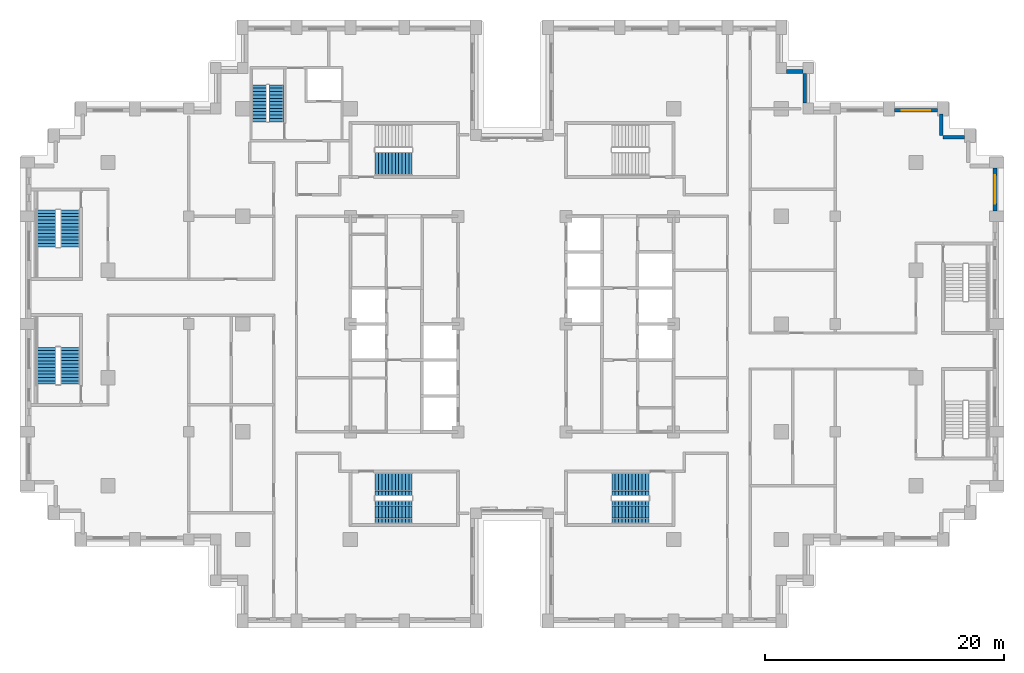
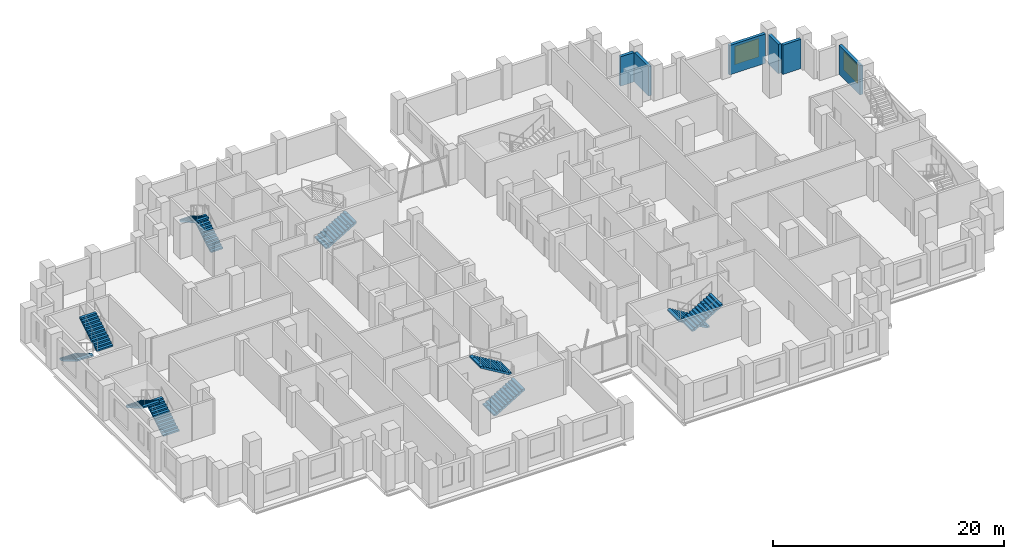
# One storey, part 13 of 16: 11 stair flights, 6 walls, 2 windows, 2 openings, 6 elements without a shape of their own.
"""IFC4 building model written with IfcOpenShell, lengths in metres."""

import ifcopenshell
import ifcopenshell.guid

model = None  # the IFC model being written
_history = None  # IfcOwnerHistory: only IFC2X3 demands one
_inside = {}  # id of a spatial element -> (the spatial element, [elements in it])
_under = {}  # id of a project, library or spatial element -> (it, [spatial elements below it])
_declared = {}  # id of a project -> (the project, [libraries it declares])
_typed = {}  # id of a type object -> (the type object, [elements of that type])
_made_of = {}  # id of a material, layer set ... -> (it, [elements and type objects made of it])


def new_model(schema):
    """Start an empty IFC model of exactly this schema.

    Asked for "IFC4X3", IfcOpenShell would pick the latest addendum, in which some entities
    have other attributes; the version numbers below select the first issue.
    IFC2X3 requires an IfcOwnerHistory on every rooted entity: one is made here for all.
    """
    global model, _history
    if schema == "IFC4X3":
        model = ifcopenshell.file(schema_version=(4, 3, 0, 0))
    else:
        model = ifcopenshell.file(schema=schema)
    _inside.clear()
    _under.clear()
    _declared.clear()
    _typed.clear()
    _made_of.clear()
    _history = None
    if model.schema == "IFC2X3":
        org = make("IfcOrganization", Name="unknown")
        user = make(
            "IfcPersonAndOrganization",
            ThePerson=make("IfcPerson", FamilyName="unknown"),
            TheOrganization=org,
        )
        app = make(
            "IfcApplication",
            ApplicationDeveloper=org,
            Version="unknown",
            ApplicationFullName="unknown",
            ApplicationIdentifier="unknown",
        )
        _history = make(
            "IfcOwnerHistory",
            OwningUser=user,
            OwningApplication=app,
            ChangeAction="ADDED",
            CreationDate=0,
        )
    return model


def make(cls, **values):
    """One entity of the class cls with the attributes given. An attribute that is None is left unset."""
    return model.create_entity(
        cls, **{name: value for name, value in values.items() if value is not None}
    )


def rooted(cls, **values):
    """An entity with a GlobalId (a new one), such as an element, a storey or a relation."""
    return make(cls, GlobalId=ifcopenshell.guid.new(), OwnerHistory=_history, **values)


def si_unit(unit_type, name, prefix=None):
    """IfcSIUnit, for example si_unit("LENGTHUNIT", "METRE", prefix="MILLI")."""
    return make("IfcSIUnit", UnitType=unit_type, Prefix=prefix, Name=name)


def assignment(units):
    """IfcUnitAssignment: the units of a project."""
    return None if units is None else make("IfcUnitAssignment", Units=units)


def point(xyz):
    """IfcCartesianPoint."""
    return None if xyz is None else make("IfcCartesianPoint", Coordinates=xyz)


def direction(xyz):
    """IfcDirection."""
    return None if xyz is None else make("IfcDirection", DirectionRatios=xyz)


def frame(location, z_axis=None, x_axis=None):
    """IfcAxis2Placement3D, a coordinate frame: its origin and axes. An axis left out is left unset."""
    return make(
        "IfcAxis2Placement3D",
        Location=point(location),
        Axis=direction(z_axis),
        RefDirection=direction(x_axis),
    )


def frame_2d(location, x_axis=None):
    """IfcAxis2Placement2D, a coordinate frame in the plane: its origin and x axis."""
    return make(
        "IfcAxis2Placement2D", Location=point(location), RefDirection=direction(x_axis)
    )


def origin():
    """The frame at (0, 0, 0) with its axes left unset."""
    return frame((0.0, 0.0, 0.0))


def place(relative_to, where):
    """IfcLocalPlacement: puts the frame where relative to a parent placement (None: the world)."""
    return make(
        "IfcLocalPlacement", PlacementRelTo=relative_to, RelativePlacement=where
    )


def context(
    kind, dimensions, precision=None, world=None, true_north=None, identifier=None
):
    """IfcGeometricRepresentationContext, for example the 3D "Model" context."""
    return make(
        "IfcGeometricRepresentationContext",
        ContextIdentifier=identifier,
        ContextType=kind,
        CoordinateSpaceDimension=dimensions,
        Precision=precision,
        WorldCoordinateSystem=world,
        TrueNorth=true_north,
    )


def subcontext(parent, identifier, kind, view, scale=None):
    """IfcGeometricRepresentationSubContext, for example "Body" below "Model"."""
    return make(
        "IfcGeometricRepresentationSubContext",
        ContextIdentifier=identifier,
        ContextType=kind,
        ParentContext=parent,
        TargetScale=scale,
        TargetView=view,
    )


def project(units=None, contexts=None):
    """IfcProject with its units and contexts."""
    return rooted(
        "IfcProject",
        Name="project",
        RepresentationContexts=contexts,
        UnitsInContext=assignment(units),
    )


def spatial(cls, under=None, at=None, **own):
    """A site, building, storey or space (cls), placed at a placement, below another one or the project."""
    s = rooted(cls, ObjectPlacement=at, **own)
    if under is not None:
        _under.setdefault(under.id(), (under, []))[1].append(s)
    return s


def polyline(points):
    """IfcPolyline through the points."""
    return make("IfcPolyline", Points=[point(p) for p in points])


def profile(cls, at=None, kind="AREA", **sizes):
    """A parametric profile (cls). Its sizes go by their IFC names, for example OverallWidth=200.0."""
    return make(cls, ProfileType=kind, Position=at, **sizes)


def rectangle(**sizes):
    """IfcRectangleProfileDef."""
    return profile("IfcRectangleProfileDef", **sizes)


def outline(outer, holes=None, kind="AREA"):
    """IfcArbitraryClosedProfileDef: a profile drawn as a closed curve; with holes, ...WithVoids."""
    if holes is None:
        return make("IfcArbitraryClosedProfileDef", ProfileType=kind, OuterCurve=outer)
    return make(
        "IfcArbitraryProfileDefWithVoids",
        ProfileType=kind,
        OuterCurve=outer,
        InnerCurves=holes,
    )


def extrude(swept, where, along, depth):
    """IfcExtrudedAreaSolid: the profile swept, set in the frame where, extruded along a direction by depth."""
    return make(
        "IfcExtrudedAreaSolid",
        SweptArea=swept,
        Position=where,
        ExtrudedDirection=direction(along),
        Depth=depth,
    )


def shape(context_of_items, identifier, shape_type, items):
    """IfcShapeRepresentation: the items that make up one representation, for example the "Body"."""
    return make(
        "IfcShapeRepresentation",
        ContextOfItems=context_of_items,
        RepresentationIdentifier=identifier,
        RepresentationType=shape_type,
        Items=items,
    )


def material(Name=None, Category=None):
    """IfcMaterial."""
    return make("IfcMaterial", Name=Name, Category=Category)


def layer(
    of_material, thickness, ventilated=None, Name=None, Category=None, Priority=None
):
    """IfcMaterialLayer: one layer of a wall or slab, of a material (None: an air gap)."""
    return make(
        "IfcMaterialLayer",
        Material=of_material,
        LayerThickness=thickness,
        IsVentilated=ventilated,
        Name=Name,
        Category=Category,
        Priority=Priority,
    )


def layer_set(layers, Name=None):
    """IfcMaterialLayerSet."""
    return make("IfcMaterialLayerSet", MaterialLayers=layers, LayerSetName=Name)


def made_of(thing, what):
    """Note that an element or type object is made of a material, layer set ...; save() writes the relation."""
    if what is not None:
        _made_of.setdefault(what.id(), (what, []))[1].append(thing)
    return thing


def type_object(cls, material=None, **own):
    """A type object (cls), such as IfcWallType, which elements share."""
    return made_of(rooted(cls, **own), material)


def element(
    cls,
    number,
    at=None,
    inside=None,
    cuts=None,
    type_object=None,
    material=None,
    context=None,
    identifier="Body",
    shape_type=None,
    held_by="IfcProductDefinitionShape",
    body=None,
    shapes=None,
    **own,
):
    """One element of the class cls, such as IfcWall. Its Tag is "e" and its number.

    at: its placement. inside: the storey or other place that contains it. cuts: it is an
    opening in that element (IfcRelVoidsElement). A single representation is given by context,
    identifier, shape_type and body (its items); several are given by shapes. held_by: the class
    of the entity that holds the representations. save() writes the other relations.
    """
    e = rooted(cls, Tag="e%d" % number, ObjectPlacement=at, **own)
    if body is not None:
        shapes = [shape(context, identifier, shape_type, body)]
    if shapes is not None:
        e.Representation = make(held_by, Representations=shapes)
    if inside is not None:
        _inside.setdefault(inside.id(), (inside, []))[1].append(e)
    if cuts is not None:
        rooted(
            "IfcRelVoidsElement", RelatingBuildingElement=cuts, RelatedOpeningElement=e
        )
    if type_object is not None:
        _typed.setdefault(type_object.id(), (type_object, []))[1].append(e)
    return made_of(e, material)


def fill(opening, filler):
    """IfcRelFillsElement: the door or window that sits in an opening."""
    return rooted(
        "IfcRelFillsElement",
        RelatingOpeningElement=opening,
        RelatedBuildingElement=filler,
    )


def aggregate(whole, parts):
    """IfcRelAggregates: a whole, such as a stair, and the parts it consists of."""
    return rooted("IfcRelAggregates", RelatingObject=whole, RelatedObjects=parts)


def save(model, path):
    """Write the relations noted so far, then the file.

    IfcRelAggregates (storeys below a building ...), IfcRelContainedInSpatialStructure (elements
    in a storey), IfcRelDefinesByType, IfcRelAssociatesMaterial and IfcRelDeclares: one each for
    every whole, place, type object, material and project.
    """
    for whole, parts in _under.values():
        aggregate(whole, parts)
    for where, things in _inside.values():
        rooted(
            "IfcRelContainedInSpatialStructure",
            RelatedElements=things,
            RelatingStructure=where,
        )
    for kind, things in _typed.values():
        rooted("IfcRelDefinesByType", RelatedObjects=things, RelatingType=kind)
    for what, things in _made_of.values():
        rooted("IfcRelAssociatesMaterial", RelatedObjects=things, RelatingMaterial=what)
    for by, libraries in _declared.values():
        rooted("IfcRelDeclares", RelatingContext=by, RelatedDefinitions=libraries)
    model.write(path)


model = new_model("IFC4")

# Units and contexts
model_context = context("Model", 3, precision=1e-05, world=origin(), true_north=direction((0.0, 1.0)))
body_context = subcontext(model_context, "Body", "Model", "MODEL_VIEW")
ifc_project = project(units=[si_unit("LENGTHUNIT", "METRE"), si_unit("AREAUNIT", "SQUARE_METRE"), si_unit("VOLUMEUNIT", "CUBIC_METRE"), si_unit("PLANEANGLEUNIT", "RADIAN"), si_unit("MASSUNIT", "GRAM", prefix="KILO")], contexts=[model_context])

# Site, building, storey
site_placement = place(None, origin())
site = spatial("IfcSite", under=ifc_project, at=site_placement, CompositionType="ELEMENT")
building_placement = place(site_placement, origin())
building = spatial("IfcBuilding", under=site, at=building_placement, Name="Corbelhall Arena Tower", CompositionType="ELEMENT")
storey_placement = place(building_placement, frame((0.0, 0.0, 112.0)))
storey = spatial("IfcBuildingStorey", under=building, at=storey_placement, Name="L20", CompositionType="ELEMENT", Elevation=112.0)

# Walls
ifc_material_1 = material(Name="Precast concrete C40/50 with granite facing", Category="masonry")
ifc_layer = layer(ifc_material_1, 0.300048828125)
ifc_layer_set = layer_set([ifc_layer], Name="EV-IW1 Infill panel 300")
wall_type = type_object("IfcWallType", Name="EV-IW1 Infill panel 300", PredefinedType="SOLIDWALL", material=ifc_layer_set)
for number, where, z_axis, x_axis, name in (
    (1, (37.800048828125, 15.60009765625, 0.0), (0.0, 0.0, 1.0), (-1.0, 0.0, 0.0), "Infill panel IW1"),
    (2, (35.85009765625, 17.550048828125, 0.0), (0.0, 0.0, 1.0), (0.0, -1.0, 0.0), "Infill panel IW1"),
):
    element("IfcWall", number, at=place(storey_placement, frame(where, z_axis=z_axis, x_axis=x_axis)), inside=storey, type_object=wall_type, Name=name, PredefinedType="SOLIDWALL", context=body_context, shape_type="SweptSolid", body=[
        extrude(rectangle(XDim=1.800048828125, YDim=0.300048828125, at=frame_2d((0.89990234375, 0.0))), origin(), (0.0, 0.0, 1.0), 3.10009765625),
    ])

# Wall, opening, window
wall_1_placement = place(storey_placement, frame((40.35009765625, 9.449951171875, 0.0), z_axis=(0.0, 0.0, 1.0), x_axis=(0.0, 1.0, 0.0)))
wall_1 = element("IfcWall", 3, at=wall_1_placement, inside=storey, type_object=wall_type, Name="Infill panel IW1", PredefinedType="SOLIDWALL", context=body_context, shape_type="SweptSolid", body=[
    extrude(rectangle(XDim=3.60009765625, YDim=0.300048828125, at=frame_2d((1.800048828125, 0.0))), origin(), (0.0, 0.0, 1.0), 3.10009765625),
])
opening_1_placement = place(wall_1_placement, frame((0.60009765625, 0.0, 0.800048828125)))
opening_1 = element("IfcOpeningElement", 4, at=opening_1_placement, cuts=wall_1, Name="Opening WN1", PredefinedType="OPENING", context=body_context, shape_type="SweptSolid", body=[
    extrude(rectangle(XDim=2.39990234375, YDim=1.949951171875, at=frame_2d((1.199951171875, 0.97509765625))), frame((0.0, 0.14990234375, 0.0), z_axis=(0.0, -1.0, 0.0), x_axis=(1.0, 0.0, 0.0)), (0.0, 0.0, 1.0), 0.300048828125),
])
ifc_material_2 = material(Name="Aluminium black anodised", Category="aluminium")
window_type = type_object("IfcWindowType", Name="EV-WN1 Office window", PartitioningType="SINGLE_PANEL", PredefinedType="WINDOW", material=ifc_material_2)
window_1_placement = place(opening_1_placement, origin())
window_1 = element("IfcWindow", 5, at=window_1_placement, inside=storey, type_object=window_type, Name="Window WN1", OverallHeight=1.949951171875, OverallWidth=2.39990234375, PartitioningType="SINGLE_PANEL", PredefinedType="WINDOW", context=body_context, shape_type="SweptSolid", body=[
    extrude(rectangle(XDim=2.39990234375, YDim=1.949951171875, at=frame_2d((1.199951171875, 0.97509765625))), frame((0.0, 0.030029296875, 0.0), z_axis=(0.0, -1.0, 0.0), x_axis=(1.0, 0.0, 0.0)), (0.0, 0.0, 1.0), 0.06005859375),
])
fill(opening_1, window_1)

wall_2_placement = place(storey_placement, frame((35.550048828125, 17.85009765625, 0.0), z_axis=(0.0, 0.0, 1.0), x_axis=(-1.0, 0.0, 0.0)))
wall_2 = element("IfcWall", 6, at=wall_2_placement, inside=storey, type_object=wall_type, Name="Infill panel IW1", PredefinedType="SOLIDWALL", context=body_context, shape_type="SweptSolid", body=[
    extrude(rectangle(XDim=3.60009765625, YDim=0.300048828125, at=frame_2d((1.800048828125, 0.0))), origin(), (0.0, 0.0, 1.0), 3.10009765625),
])
opening_2_placement = place(wall_2_placement, frame((0.60009765625, 0.0, 0.800048828125)))
opening_2 = element("IfcOpeningElement", 7, at=opening_2_placement, cuts=wall_2, Name="Opening WN1", PredefinedType="OPENING", context=body_context, shape_type="SweptSolid", body=[
    extrude(rectangle(XDim=2.39990234375, YDim=1.949951171875, at=frame_2d((1.199951171875, 0.97509765625))), frame((0.0, 0.14990234375, 0.0), z_axis=(0.0, -1.0, 0.0), x_axis=(1.0, 0.0, 0.0)), (0.0, 0.0, 1.0), 0.300048828125),
])
window_2_placement = place(opening_2_placement, origin())
window_2 = element("IfcWindow", 8, at=window_2_placement, inside=storey, type_object=window_type, Name="Window WN1", OverallHeight=1.949951171875, OverallWidth=2.39990234375, PartitioningType="SINGLE_PANEL", PredefinedType="WINDOW", context=body_context, shape_type="SweptSolid", body=[
    extrude(rectangle(XDim=2.39990234375, YDim=1.949951171875, at=frame_2d((1.199951171875, 0.97509765625))), frame((0.0, 0.030029296875, 0.0), z_axis=(0.0, -1.0, 0.0), x_axis=(1.0, 0.0, 0.0)), (0.0, 0.0, 1.0), 0.06005859375),
])
fill(opening_2, window_2)

# Walls
wall_3_placement = place(storey_placement, frame((24.449951171875, 18.449951171875, 0.0), z_axis=(0.0, 0.0, 1.0), x_axis=(0.0, 1.0, 0.0)))
element("IfcWall", 9, at=wall_3_placement, inside=storey, type_object=wall_type, Name="Infill panel IW1", PredefinedType="SOLIDWALL", context=body_context, shape_type="SweptSolid", body=[
    extrude(rectangle(XDim=2.5, YDim=0.300048828125, at=frame_2d((1.25, 0.0))), origin(), (0.0, 0.0, 1.0), 3.10009765625),
])
wall_4_placement = place(storey_placement, frame((24.300048828125, 21.10009765625, 0.0), z_axis=(0.0, 0.0, 1.0), x_axis=(-1.0, 0.0, 0.0)))
element("IfcWall", 10, at=wall_4_placement, inside=storey, type_object=wall_type, Name="Infill panel IW1", PredefinedType="SOLIDWALL", context=body_context, shape_type="SweptSolid", body=[
    extrude(rectangle(XDim=1.35009765625, YDim=0.300048828125, at=frame_2d((0.675048828125, 0.0))), origin(), (0.0, 0.0, 1.0), 3.10009765625),
])

# Stair, stair flight
ifc_material_3 = material(Name="Concrete C40/50", Category="concrete")
stair_type = type_object("IfcStairType", Name="IN-ST-TOWER", PredefinedType="HALF_TURN_STAIR", material=ifc_material_3)
stair_1_placement = place(storey_placement, origin())
stair_1 = element("IfcStair", 11, at=stair_1_placement, inside=storey, type_object=stair_type, Name="L20 Exit stair ST1", PredefinedType="HALF_TURN_STAIR")
stair_flight_type = type_object("IfcStairFlightType", Name="IN-SFL-RC", PredefinedType="STRAIGHT", material=ifc_material_3)
stair_flight_1_placement = place(storey_placement, frame((-11.425048828125, 13.39990234375, 0.0), z_axis=(0.0, 0.0, 1.0), x_axis=(1.0, 0.0, 0.0)))
stair_flight_1 = element("IfcStairFlight", 12, at=stair_flight_1_placement, type_object=stair_flight_type, Name="ST1 flight 1", NumberOfRisers=12, NumberOfTreads=11, PredefinedType="STRAIGHT", RiserHeight=0.166666667, TreadLength=0.28, context=body_context, shape_type="SweptSolid", body=[
    extrude(outline(polyline([(0.0, 0.0), (0.0, 0.166748046875), (0.280029296875, 0.166748046875), (0.280029296875, 0.333251953125), (0.56005859375, 0.333251953125), (0.56005859375, 0.5), (0.840087890625, 0.5), (0.840087890625, 0.666748046875), (1.1201171875, 0.666748046875), (1.1201171875, 0.833251953125), (1.39990234375, 0.833251953125), (1.39990234375, 1.0), (1.679931640625, 1.0), (1.679931640625, 1.166748046875), (1.9599609375, 1.166748046875), (1.9599609375, 1.333251953125), (2.239990234375, 1.333251953125), (2.239990234375, 1.5), (2.52001953125, 1.5), (2.52001953125, 1.666748046875), (2.800048828125, 1.666748046875), (2.800048828125, 1.833251953125), (3.080078125, 1.833251953125), (3.080078125, 2.0), (3.080078125, 1.658935546875), (0.29296875, 0.0), (0.0, 0.0)])), frame((0.0, 0.97509765625, 0.0), z_axis=(0.0, -1.0, 0.0), x_axis=(1.0, 0.0, 0.0)), (0.0, 0.0, 1.0), 0.449951171875),
    extrude(outline(polyline([(0.0, 0.0), (0.0, 0.166748046875), (0.280029296875, 0.166748046875), (0.280029296875, 0.333251953125), (0.56005859375, 0.333251953125), (0.56005859375, 0.5), (0.840087890625, 0.5), (0.840087890625, 0.666748046875), (1.1201171875, 0.666748046875), (1.1201171875, 0.833251953125), (1.39990234375, 0.833251953125), (1.39990234375, 1.0), (1.679931640625, 1.0), (1.679931640625, 1.166748046875), (1.9599609375, 1.166748046875), (1.9599609375, 1.333251953125), (2.239990234375, 1.333251953125), (2.239990234375, 1.5), (2.52001953125, 1.5), (2.52001953125, 1.666748046875), (2.800048828125, 1.666748046875), (2.800048828125, 1.833251953125), (3.080078125, 1.833251953125), (3.080078125, 2.0), (3.080078125, 1.658935546875), (0.29296875, 0.0), (0.0, 0.0)])), frame((0.0, 0.52099609375, 0.0), z_axis=(0.0, -1.0, 0.0), x_axis=(1.0, 0.0, 0.0)), (0.0, 0.0, 1.0), 1.0419921875),
    extrude(outline(polyline([(0.0, 0.0), (0.0, 0.166748046875), (0.280029296875, 0.166748046875), (0.280029296875, 0.333251953125), (0.56005859375, 0.333251953125), (0.56005859375, 0.5), (0.840087890625, 0.5), (0.840087890625, 0.666748046875), (1.1201171875, 0.666748046875), (1.1201171875, 0.833251953125), (1.39990234375, 0.833251953125), (1.39990234375, 1.0), (1.679931640625, 1.0), (1.679931640625, 1.166748046875), (1.9599609375, 1.166748046875), (1.9599609375, 1.333251953125), (2.239990234375, 1.333251953125), (2.239990234375, 1.5), (2.52001953125, 1.5), (2.52001953125, 1.666748046875), (2.800048828125, 1.666748046875), (2.800048828125, 1.833251953125), (3.080078125, 1.833251953125), (3.080078125, 2.0), (3.080078125, 1.658935546875), (0.29296875, 0.0), (0.0, 0.0)])), frame((0.0, -0.52490234375, 0.0), z_axis=(0.0, -1.0, 0.0), x_axis=(1.0, 0.0, 0.0)), (0.0, 0.0, 1.0), 0.449951171875),
])
aggregate(stair_1, [stair_flight_1])

# Stair, stair flights
stair_2_placement = place(storey_placement, origin())
stair_2 = element("IfcStair", 13, at=stair_2_placement, inside=storey, type_object=stair_type, Name="L20 Exit stair ST2", PredefinedType="HALF_TURN_STAIR")
stair_flight_2_placement = place(storey_placement, frame((-11.425048828125, -15.699951171875, 0.0), z_axis=(0.0, 0.0, 1.0), x_axis=(1.0, 0.0, 0.0)))
stair_flight_2 = element("IfcStairFlight", 14, at=stair_flight_2_placement, type_object=stair_flight_type, Name="ST2 flight 1", NumberOfRisers=12, NumberOfTreads=11, PredefinedType="STRAIGHT", RiserHeight=0.166666667, TreadLength=0.28, context=body_context, shape_type="SweptSolid", body=[
    extrude(outline(polyline([(0.0, 0.0), (0.0, 0.166748046875), (0.280029296875, 0.166748046875), (0.280029296875, 0.333251953125), (0.56005859375, 0.333251953125), (0.56005859375, 0.5), (0.840087890625, 0.5), (0.840087890625, 0.666748046875), (1.1201171875, 0.666748046875), (1.1201171875, 0.833251953125), (1.39990234375, 0.833251953125), (1.39990234375, 1.0), (1.679931640625, 1.0), (1.679931640625, 1.166748046875), (1.9599609375, 1.166748046875), (1.9599609375, 1.333251953125), (2.239990234375, 1.333251953125), (2.239990234375, 1.5), (2.52001953125, 1.5), (2.52001953125, 1.666748046875), (2.800048828125, 1.666748046875), (2.800048828125, 1.833251953125), (3.080078125, 1.833251953125), (3.080078125, 2.0), (3.080078125, 1.658935546875), (0.29296875, 0.0), (0.0, 0.0)])), frame((0.0, 0.97509765625, 0.0), z_axis=(0.0, -1.0, 0.0), x_axis=(1.0, 0.0, 0.0)), (0.0, 0.0, 1.0), 0.449951171875),
    extrude(outline(polyline([(0.0, 0.0), (0.0, 0.166748046875), (0.280029296875, 0.166748046875), (0.280029296875, 0.333251953125), (0.56005859375, 0.333251953125), (0.56005859375, 0.5), (0.840087890625, 0.5), (0.840087890625, 0.666748046875), (1.1201171875, 0.666748046875), (1.1201171875, 0.833251953125), (1.39990234375, 0.833251953125), (1.39990234375, 1.0), (1.679931640625, 1.0), (1.679931640625, 1.166748046875), (1.9599609375, 1.166748046875), (1.9599609375, 1.333251953125), (2.239990234375, 1.333251953125), (2.239990234375, 1.5), (2.52001953125, 1.5), (2.52001953125, 1.666748046875), (2.800048828125, 1.666748046875), (2.800048828125, 1.833251953125), (3.080078125, 1.833251953125), (3.080078125, 2.0), (3.080078125, 1.658935546875), (0.29296875, 0.0), (0.0, 0.0)])), frame((0.0, 0.52099609375, 0.0), z_axis=(0.0, -1.0, 0.0), x_axis=(1.0, 0.0, 0.0)), (0.0, 0.0, 1.0), 1.0419921875),
    extrude(outline(polyline([(0.0, 0.0), (0.0, 0.166748046875), (0.280029296875, 0.166748046875), (0.280029296875, 0.333251953125), (0.56005859375, 0.333251953125), (0.56005859375, 0.5), (0.840087890625, 0.5), (0.840087890625, 0.666748046875), (1.1201171875, 0.666748046875), (1.1201171875, 0.833251953125), (1.39990234375, 0.833251953125), (1.39990234375, 1.0), (1.679931640625, 1.0), (1.679931640625, 1.166748046875), (1.9599609375, 1.166748046875), (1.9599609375, 1.333251953125), (2.239990234375, 1.333251953125), (2.239990234375, 1.5), (2.52001953125, 1.5), (2.52001953125, 1.666748046875), (2.800048828125, 1.666748046875), (2.800048828125, 1.833251953125), (3.080078125, 1.833251953125), (3.080078125, 2.0), (3.080078125, 1.658935546875), (0.29296875, 0.0), (0.0, 0.0)])), frame((0.0, -0.52490234375, 0.0), z_axis=(0.0, -1.0, 0.0), x_axis=(1.0, 0.0, 0.0)), (0.0, 0.0, 1.0), 0.449951171875),
])
stair_flight_3_placement = place(storey_placement, frame((-8.344970703125, -13.39990234375, 2.0), z_axis=(0.0, 0.0, 1.0), x_axis=(-1.0, 0.0, 0.0)))
stair_flight_3 = element("IfcStairFlight", 15, at=stair_flight_3_placement, type_object=stair_flight_type, Name="ST2 flight 2", NumberOfRisers=12, NumberOfTreads=11, PredefinedType="STRAIGHT", RiserHeight=0.166666667, TreadLength=0.28, context=body_context, shape_type="SweptSolid", body=[
    extrude(outline(polyline([(0.0, 0.0), (0.0, 0.166748046875), (0.280029296875, 0.166748046875), (0.280029296875, 0.333251953125), (0.56005859375, 0.333251953125), (0.56005859375, 0.5), (0.840087890625, 0.5), (0.840087890625, 0.666748046875), (1.1201171875, 0.666748046875), (1.1201171875, 0.833251953125), (1.39990234375, 0.833251953125), (1.39990234375, 1.0), (1.679931640625, 1.0), (1.679931640625, 1.166748046875), (1.9599609375, 1.166748046875), (1.9599609375, 1.333251953125), (2.239990234375, 1.333251953125), (2.239990234375, 1.5), (2.52001953125, 1.5), (2.52001953125, 1.666748046875), (2.800048828125, 1.666748046875), (2.800048828125, 1.833251953125), (3.080078125, 1.833251953125), (3.080078125, 2.0), (3.080078125, 1.658935546875), (0.29296875, 0.0), (0.0, 0.0)])), frame((0.0, 0.97509765625, 0.0), z_axis=(0.0, -1.0, 0.0), x_axis=(1.0, 0.0, 0.0)), (0.0, 0.0, 1.0), 0.449951171875),
    extrude(outline(polyline([(0.0, 0.0), (0.0, 0.166748046875), (0.280029296875, 0.166748046875), (0.280029296875, 0.333251953125), (0.56005859375, 0.333251953125), (0.56005859375, 0.5), (0.840087890625, 0.5), (0.840087890625, 0.666748046875), (1.1201171875, 0.666748046875), (1.1201171875, 0.833251953125), (1.39990234375, 0.833251953125), (1.39990234375, 1.0), (1.679931640625, 1.0), (1.679931640625, 1.166748046875), (1.9599609375, 1.166748046875), (1.9599609375, 1.333251953125), (2.239990234375, 1.333251953125), (2.239990234375, 1.5), (2.52001953125, 1.5), (2.52001953125, 1.666748046875), (2.800048828125, 1.666748046875), (2.800048828125, 1.833251953125), (3.080078125, 1.833251953125), (3.080078125, 2.0), (3.080078125, 1.658935546875), (0.29296875, 0.0), (0.0, 0.0)])), frame((0.0, 0.52099609375, 0.0), z_axis=(0.0, -1.0, 0.0), x_axis=(1.0, 0.0, 0.0)), (0.0, 0.0, 1.0), 1.0419921875),
    extrude(outline(polyline([(0.0, 0.0), (0.0, 0.166748046875), (0.280029296875, 0.166748046875), (0.280029296875, 0.333251953125), (0.56005859375, 0.333251953125), (0.56005859375, 0.5), (0.840087890625, 0.5), (0.840087890625, 0.666748046875), (1.1201171875, 0.666748046875), (1.1201171875, 0.833251953125), (1.39990234375, 0.833251953125), (1.39990234375, 1.0), (1.679931640625, 1.0), (1.679931640625, 1.166748046875), (1.9599609375, 1.166748046875), (1.9599609375, 1.333251953125), (2.239990234375, 1.333251953125), (2.239990234375, 1.5), (2.52001953125, 1.5), (2.52001953125, 1.666748046875), (2.800048828125, 1.666748046875), (2.800048828125, 1.833251953125), (3.080078125, 1.833251953125), (3.080078125, 2.0), (3.080078125, 1.658935546875), (0.29296875, 0.0), (0.0, 0.0)])), frame((0.0, -0.52490234375, 0.0), z_axis=(0.0, -1.0, 0.0), x_axis=(1.0, 0.0, 0.0)), (0.0, 0.0, 1.0), 0.449951171875),
])
aggregate(stair_2, [stair_flight_2, stair_flight_3])

stair_3_placement = place(storey_placement, origin())
stair_3 = element("IfcStair", 16, at=stair_3_placement, inside=storey, type_object=stair_type, Name="L20 Exit stair ST4", PredefinedType="HALF_TURN_STAIR")
stair_flight_4_placement = place(storey_placement, frame((11.425048828125, -13.39990234375, 0.0), z_axis=(0.0, 0.0, 1.0), x_axis=(-1.0, 0.0, 0.0)))
stair_flight_4 = element("IfcStairFlight", 17, at=stair_flight_4_placement, type_object=stair_flight_type, Name="ST4 flight 1", NumberOfRisers=12, NumberOfTreads=11, PredefinedType="STRAIGHT", RiserHeight=0.166666667, TreadLength=0.28, context=body_context, shape_type="SweptSolid", body=[
    extrude(outline(polyline([(0.0, 0.0), (0.0, 0.166748046875), (0.280029296875, 0.166748046875), (0.280029296875, 0.333251953125), (0.56005859375, 0.333251953125), (0.56005859375, 0.5), (0.840087890625, 0.5), (0.840087890625, 0.666748046875), (1.1201171875, 0.666748046875), (1.1201171875, 0.833251953125), (1.39990234375, 0.833251953125), (1.39990234375, 1.0), (1.679931640625, 1.0), (1.679931640625, 1.166748046875), (1.9599609375, 1.166748046875), (1.9599609375, 1.333251953125), (2.239990234375, 1.333251953125), (2.239990234375, 1.5), (2.52001953125, 1.5), (2.52001953125, 1.666748046875), (2.800048828125, 1.666748046875), (2.800048828125, 1.833251953125), (3.080078125, 1.833251953125), (3.080078125, 2.0), (3.080078125, 1.658935546875), (0.29296875, 0.0), (0.0, 0.0)])), frame((0.0, 0.97509765625, 0.0), z_axis=(0.0, -1.0, 0.0), x_axis=(1.0, 0.0, 0.0)), (0.0, 0.0, 1.0), 0.449951171875),
    extrude(outline(polyline([(0.0, 0.0), (0.0, 0.166748046875), (0.280029296875, 0.166748046875), (0.280029296875, 0.333251953125), (0.56005859375, 0.333251953125), (0.56005859375, 0.5), (0.840087890625, 0.5), (0.840087890625, 0.666748046875), (1.1201171875, 0.666748046875), (1.1201171875, 0.833251953125), (1.39990234375, 0.833251953125), (1.39990234375, 1.0), (1.679931640625, 1.0), (1.679931640625, 1.166748046875), (1.9599609375, 1.166748046875), (1.9599609375, 1.333251953125), (2.239990234375, 1.333251953125), (2.239990234375, 1.5), (2.52001953125, 1.5), (2.52001953125, 1.666748046875), (2.800048828125, 1.666748046875), (2.800048828125, 1.833251953125), (3.080078125, 1.833251953125), (3.080078125, 2.0), (3.080078125, 1.658935546875), (0.29296875, 0.0), (0.0, 0.0)])), frame((0.0, 0.52099609375, 0.0), z_axis=(0.0, -1.0, 0.0), x_axis=(1.0, 0.0, 0.0)), (0.0, 0.0, 1.0), 1.0419921875),
    extrude(outline(polyline([(0.0, 0.0), (0.0, 0.166748046875), (0.280029296875, 0.166748046875), (0.280029296875, 0.333251953125), (0.56005859375, 0.333251953125), (0.56005859375, 0.5), (0.840087890625, 0.5), (0.840087890625, 0.666748046875), (1.1201171875, 0.666748046875), (1.1201171875, 0.833251953125), (1.39990234375, 0.833251953125), (1.39990234375, 1.0), (1.679931640625, 1.0), (1.679931640625, 1.166748046875), (1.9599609375, 1.166748046875), (1.9599609375, 1.333251953125), (2.239990234375, 1.333251953125), (2.239990234375, 1.5), (2.52001953125, 1.5), (2.52001953125, 1.666748046875), (2.800048828125, 1.666748046875), (2.800048828125, 1.833251953125), (3.080078125, 1.833251953125), (3.080078125, 2.0), (3.080078125, 1.658935546875), (0.29296875, 0.0), (0.0, 0.0)])), frame((0.0, -0.52490234375, 0.0), z_axis=(0.0, -1.0, 0.0), x_axis=(1.0, 0.0, 0.0)), (0.0, 0.0, 1.0), 0.449951171875),
])
stair_flight_5_placement = place(storey_placement, frame((8.344970703125, -15.699951171875, 2.0), z_axis=(0.0, 0.0, 1.0), x_axis=(1.0, 0.0, 0.0)))
stair_flight_5 = element("IfcStairFlight", 18, at=stair_flight_5_placement, type_object=stair_flight_type, Name="ST4 flight 2", NumberOfRisers=12, NumberOfTreads=11, PredefinedType="STRAIGHT", RiserHeight=0.166666667, TreadLength=0.28, context=body_context, shape_type="SweptSolid", body=[
    extrude(outline(polyline([(0.0, 0.0), (0.0, 0.166748046875), (0.280029296875, 0.166748046875), (0.280029296875, 0.333251953125), (0.56005859375, 0.333251953125), (0.56005859375, 0.5), (0.840087890625, 0.5), (0.840087890625, 0.666748046875), (1.1201171875, 0.666748046875), (1.1201171875, 0.833251953125), (1.39990234375, 0.833251953125), (1.39990234375, 1.0), (1.679931640625, 1.0), (1.679931640625, 1.166748046875), (1.9599609375, 1.166748046875), (1.9599609375, 1.333251953125), (2.239990234375, 1.333251953125), (2.239990234375, 1.5), (2.52001953125, 1.5), (2.52001953125, 1.666748046875), (2.800048828125, 1.666748046875), (2.800048828125, 1.833251953125), (3.080078125, 1.833251953125), (3.080078125, 2.0), (3.080078125, 1.658935546875), (0.29296875, 0.0), (0.0, 0.0)])), frame((0.0, 0.97509765625, 0.0), z_axis=(0.0, -1.0, 0.0), x_axis=(1.0, 0.0, 0.0)), (0.0, 0.0, 1.0), 0.449951171875),
    extrude(outline(polyline([(0.0, 0.0), (0.0, 0.166748046875), (0.280029296875, 0.166748046875), (0.280029296875, 0.333251953125), (0.56005859375, 0.333251953125), (0.56005859375, 0.5), (0.840087890625, 0.5), (0.840087890625, 0.666748046875), (1.1201171875, 0.666748046875), (1.1201171875, 0.833251953125), (1.39990234375, 0.833251953125), (1.39990234375, 1.0), (1.679931640625, 1.0), (1.679931640625, 1.166748046875), (1.9599609375, 1.166748046875), (1.9599609375, 1.333251953125), (2.239990234375, 1.333251953125), (2.239990234375, 1.5), (2.52001953125, 1.5), (2.52001953125, 1.666748046875), (2.800048828125, 1.666748046875), (2.800048828125, 1.833251953125), (3.080078125, 1.833251953125), (3.080078125, 2.0), (3.080078125, 1.658935546875), (0.29296875, 0.0), (0.0, 0.0)])), frame((0.0, 0.52099609375, 0.0), z_axis=(0.0, -1.0, 0.0), x_axis=(1.0, 0.0, 0.0)), (0.0, 0.0, 1.0), 1.0419921875),
    extrude(outline(polyline([(0.0, 0.0), (0.0, 0.166748046875), (0.280029296875, 0.166748046875), (0.280029296875, 0.333251953125), (0.56005859375, 0.333251953125), (0.56005859375, 0.5), (0.840087890625, 0.5), (0.840087890625, 0.666748046875), (1.1201171875, 0.666748046875), (1.1201171875, 0.833251953125), (1.39990234375, 0.833251953125), (1.39990234375, 1.0), (1.679931640625, 1.0), (1.679931640625, 1.166748046875), (1.9599609375, 1.166748046875), (1.9599609375, 1.333251953125), (2.239990234375, 1.333251953125), (2.239990234375, 1.5), (2.52001953125, 1.5), (2.52001953125, 1.666748046875), (2.800048828125, 1.666748046875), (2.800048828125, 1.833251953125), (3.080078125, 1.833251953125), (3.080078125, 2.0), (3.080078125, 1.658935546875), (0.29296875, 0.0), (0.0, 0.0)])), frame((0.0, -0.52490234375, 0.0), z_axis=(0.0, -1.0, 0.0), x_axis=(1.0, 0.0, 0.0)), (0.0, 0.0, 1.0), 0.449951171875),
])
aggregate(stair_3, [stair_flight_4, stair_flight_5])

stair_4_placement = place(storey_placement, origin())
stair_4 = element("IfcStair", 19, at=stair_4_placement, inside=storey, type_object=stair_type, Name="L20 Exit stair SC1", PredefinedType="HALF_TURN_STAIR")
stair_flight_6_placement = place(storey_placement, frame((-38.89990234375, 9.52490234375, 0.0), z_axis=(0.0, 0.0, 1.0), x_axis=(0.0, -1.0, 0.0)))
stair_flight_6 = element("IfcStairFlight", 20, at=stair_flight_6_placement, type_object=stair_flight_type, Name="SC1 flight 1", NumberOfRisers=12, NumberOfTreads=11, PredefinedType="STRAIGHT", RiserHeight=0.166666667, TreadLength=0.28, context=body_context, shape_type="SweptSolid", body=[
    extrude(outline(polyline([(0.0, 0.0), (0.0, 0.166748046875), (0.280029296875, 0.166748046875), (0.280029296875, 0.333251953125), (0.56005859375, 0.333251953125), (0.56005859375, 0.5), (0.840087890625, 0.5), (0.840087890625, 0.666748046875), (1.1201171875, 0.666748046875), (1.1201171875, 0.833251953125), (1.39990234375, 0.833251953125), (1.39990234375, 1.0), (1.679931640625, 1.0), (1.679931640625, 1.166748046875), (1.9599609375, 1.166748046875), (1.9599609375, 1.333251953125), (2.239990234375, 1.333251953125), (2.239990234375, 1.5), (2.52001953125, 1.5), (2.52001953125, 1.666748046875), (2.800048828125, 1.666748046875), (2.800048828125, 1.833251953125), (3.080078125, 1.833251953125), (3.080078125, 2.0), (3.080078125, 1.658935546875), (0.29296875, 0.0), (0.0, 0.0)])), frame((0.0, 0.800048828125, 0.0), z_axis=(0.0, -1.0, 0.0), x_axis=(1.0, 0.0, 0.0)), (0.0, 0.0, 1.0), 1.60009765625),
])
stair_flight_7_placement = place(storey_placement, frame((-36.925048828125, 6.445068359375, 2.0), z_axis=(0.0, 0.0, 1.0), x_axis=(0.0, 1.0, 0.0)))
stair_flight_7 = element("IfcStairFlight", 21, at=stair_flight_7_placement, type_object=stair_flight_type, Name="SC1 flight 2", NumberOfRisers=12, NumberOfTreads=11, PredefinedType="STRAIGHT", RiserHeight=0.166666667, TreadLength=0.28, context=body_context, shape_type="SweptSolid", body=[
    extrude(outline(polyline([(0.0, 0.0), (0.0, 0.166748046875), (0.280029296875, 0.166748046875), (0.280029296875, 0.333251953125), (0.56005859375, 0.333251953125), (0.56005859375, 0.5), (0.840087890625, 0.5), (0.840087890625, 0.666748046875), (1.1201171875, 0.666748046875), (1.1201171875, 0.833251953125), (1.39990234375, 0.833251953125), (1.39990234375, 1.0), (1.679931640625, 1.0), (1.679931640625, 1.166748046875), (1.9599609375, 1.166748046875), (1.9599609375, 1.333251953125), (2.239990234375, 1.333251953125), (2.239990234375, 1.5), (2.52001953125, 1.5), (2.52001953125, 1.666748046875), (2.800048828125, 1.666748046875), (2.800048828125, 1.833251953125), (3.080078125, 1.833251953125), (3.080078125, 2.0), (3.080078125, 1.658935546875), (0.29296875, 0.0), (0.0, 0.0)])), frame((0.0, 0.800048828125, 0.0), z_axis=(0.0, -1.0, 0.0), x_axis=(1.0, 0.0, 0.0)), (0.0, 0.0, 1.0), 1.60009765625),
])
aggregate(stair_4, [stair_flight_6, stair_flight_7])

stair_5_placement = place(storey_placement, origin())
stair_5 = element("IfcStair", 22, at=stair_5_placement, inside=storey, type_object=stair_type, Name="L20 Exit stair SC2", PredefinedType="HALF_TURN_STAIR")
stair_flight_8_placement = place(storey_placement, frame((-36.925048828125, -5.02490234375, 0.0), z_axis=(0.0, 0.0, 1.0), x_axis=(0.0, 1.0, 0.0)))
stair_flight_8 = element("IfcStairFlight", 23, at=stair_flight_8_placement, type_object=stair_flight_type, Name="SC2 flight 1", NumberOfRisers=12, NumberOfTreads=11, PredefinedType="STRAIGHT", RiserHeight=0.166666667, TreadLength=0.28, context=body_context, shape_type="SweptSolid", body=[
    extrude(outline(polyline([(0.0, 0.0), (0.0, 0.166748046875), (0.280029296875, 0.166748046875), (0.280029296875, 0.333251953125), (0.56005859375, 0.333251953125), (0.56005859375, 0.5), (0.840087890625, 0.5), (0.840087890625, 0.666748046875), (1.1201171875, 0.666748046875), (1.1201171875, 0.833251953125), (1.39990234375, 0.833251953125), (1.39990234375, 1.0), (1.679931640625, 1.0), (1.679931640625, 1.166748046875), (1.9599609375, 1.166748046875), (1.9599609375, 1.333251953125), (2.239990234375, 1.333251953125), (2.239990234375, 1.5), (2.52001953125, 1.5), (2.52001953125, 1.666748046875), (2.800048828125, 1.666748046875), (2.800048828125, 1.833251953125), (3.080078125, 1.833251953125), (3.080078125, 2.0), (3.080078125, 1.658935546875), (0.29296875, 0.0), (0.0, 0.0)])), frame((0.0, 0.800048828125, 0.0), z_axis=(0.0, -1.0, 0.0), x_axis=(1.0, 0.0, 0.0)), (0.0, 0.0, 1.0), 1.60009765625),
])
stair_flight_9_placement = place(storey_placement, frame((-38.89990234375, -1.945068359375, 2.0), z_axis=(0.0, 0.0, 1.0), x_axis=(0.0, -1.0, 0.0)))
stair_flight_9 = element("IfcStairFlight", 24, at=stair_flight_9_placement, type_object=stair_flight_type, Name="SC2 flight 2", NumberOfRisers=12, NumberOfTreads=11, PredefinedType="STRAIGHT", RiserHeight=0.166666667, TreadLength=0.28, context=body_context, shape_type="SweptSolid", body=[
    extrude(outline(polyline([(0.0, 0.0), (0.0, 0.166748046875), (0.280029296875, 0.166748046875), (0.280029296875, 0.333251953125), (0.56005859375, 0.333251953125), (0.56005859375, 0.5), (0.840087890625, 0.5), (0.840087890625, 0.666748046875), (1.1201171875, 0.666748046875), (1.1201171875, 0.833251953125), (1.39990234375, 0.833251953125), (1.39990234375, 1.0), (1.679931640625, 1.0), (1.679931640625, 1.166748046875), (1.9599609375, 1.166748046875), (1.9599609375, 1.333251953125), (2.239990234375, 1.333251953125), (2.239990234375, 1.5), (2.52001953125, 1.5), (2.52001953125, 1.666748046875), (2.800048828125, 1.666748046875), (2.800048828125, 1.833251953125), (3.080078125, 1.833251953125), (3.080078125, 2.0), (3.080078125, 1.658935546875), (0.29296875, 0.0), (0.0, 0.0)])), frame((0.0, 0.800048828125, 0.0), z_axis=(0.0, -1.0, 0.0), x_axis=(1.0, 0.0, 0.0)), (0.0, 0.0, 1.0), 1.60009765625),
])
aggregate(stair_5, [stair_flight_8, stair_flight_9])

stair_6_placement = place(storey_placement, origin())
stair_6 = element("IfcStair", 25, at=stair_6_placement, inside=storey, type_object=stair_type, Name="L20 Exit stair ST5", PredefinedType="HALF_TURN_STAIR")
stair_flight_10_placement = place(storey_placement, frame((-19.695068359375, 16.89990234375, 0.0), z_axis=(0.0, 0.0, 1.0), x_axis=(0.0, 1.0, 0.0)))
stair_flight_10 = element("IfcStairFlight", 26, at=stair_flight_10_placement, type_object=stair_flight_type, Name="ST5 flight 1", NumberOfRisers=12, NumberOfTreads=11, PredefinedType="STRAIGHT", RiserHeight=0.166666667, TreadLength=0.28, context=body_context, shape_type="SweptSolid", body=[
    extrude(outline(polyline([(0.0, 0.0), (0.0, 0.166748046875), (0.280029296875, 0.166748046875), (0.280029296875, 0.333251953125), (0.56005859375, 0.333251953125), (0.56005859375, 0.5), (0.840087890625, 0.5), (0.840087890625, 0.666748046875), (1.1201171875, 0.666748046875), (1.1201171875, 0.833251953125), (1.39990234375, 0.833251953125), (1.39990234375, 1.0), (1.679931640625, 1.0), (1.679931640625, 1.166748046875), (1.9599609375, 1.166748046875), (1.9599609375, 1.333251953125), (2.239990234375, 1.333251953125), (2.239990234375, 1.5), (2.52001953125, 1.5), (2.52001953125, 1.666748046875), (2.800048828125, 1.666748046875), (2.800048828125, 1.833251953125), (3.080078125, 1.833251953125), (3.080078125, 2.0), (3.080078125, 1.658935546875), (0.29296875, 0.0), (0.0, 0.0)])), frame((0.0, 0.60009765625, 0.0), z_axis=(0.0, -1.0, 0.0), x_axis=(1.0, 0.0, 0.0)), (0.0, 0.0, 1.0), 1.199951171875),
])
stair_flight_11_placement = place(storey_placement, frame((-21.094970703125, 19.97998046875, 2.0), z_axis=(0.0, 0.0, 1.0), x_axis=(0.0, -1.0, 0.0)))
stair_flight_11 = element("IfcStairFlight", 27, at=stair_flight_11_placement, type_object=stair_flight_type, Name="ST5 flight 2", NumberOfRisers=12, NumberOfTreads=11, PredefinedType="STRAIGHT", RiserHeight=0.166666667, TreadLength=0.28, context=body_context, shape_type="SweptSolid", body=[
    extrude(outline(polyline([(0.0, 0.0), (0.0, 0.166748046875), (0.280029296875, 0.166748046875), (0.280029296875, 0.333251953125), (0.56005859375, 0.333251953125), (0.56005859375, 0.5), (0.840087890625, 0.5), (0.840087890625, 0.666748046875), (1.1201171875, 0.666748046875), (1.1201171875, 0.833251953125), (1.39990234375, 0.833251953125), (1.39990234375, 1.0), (1.679931640625, 1.0), (1.679931640625, 1.166748046875), (1.9599609375, 1.166748046875), (1.9599609375, 1.333251953125), (2.239990234375, 1.333251953125), (2.239990234375, 1.5), (2.52001953125, 1.5), (2.52001953125, 1.666748046875), (2.800048828125, 1.666748046875), (2.800048828125, 1.833251953125), (3.080078125, 1.833251953125), (3.080078125, 2.0), (3.080078125, 1.658935546875), (0.29296875, 0.0), (0.0, 0.0)])), frame((0.0, 0.60009765625, 0.0), z_axis=(0.0, -1.0, 0.0), x_axis=(1.0, 0.0, 0.0)), (0.0, 0.0, 1.0), 1.199951171875),
])
aggregate(stair_6, [stair_flight_10, stair_flight_11])

save(model, "model.ifc")
